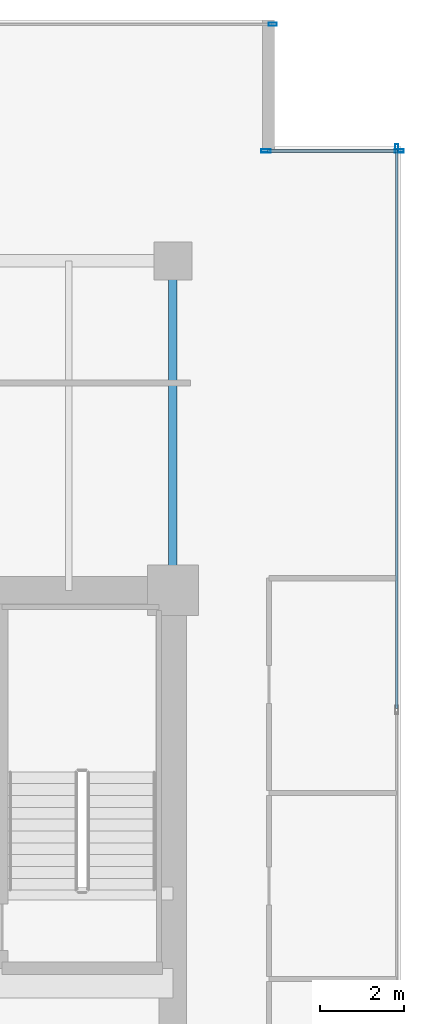
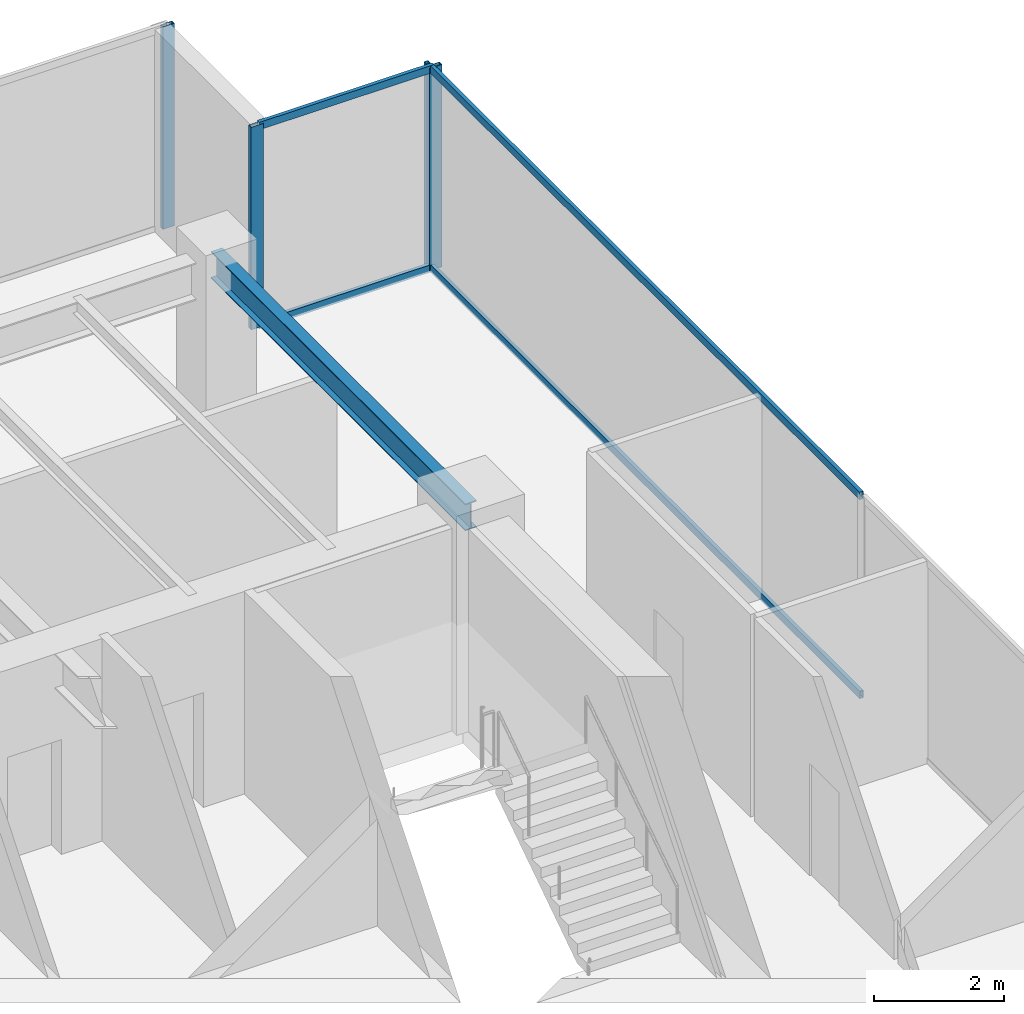
# One storey, part 23 of 30: 8 members, 1 beam, 3 elements without a shape of their own.
"""IFC4 building model written with IfcOpenShell, lengths in metres."""

from ifc_helpers import new_model, si_unit, direction, frame, origin, origin_2d, place, context, subcontext, project, spatial, hollow_rectangle, i_section, extrude, source, transform, mapped, material, layer, layer_set, material_profile, profile_set, type_object, type_shapes, element, aggregate, save


model = new_model("IFC4")

# Units and contexts
model_context = context("Model", 3, precision=1e-05, world=origin(), true_north=direction((0.0, 1.0)))
body_context = subcontext(model_context, "Body", "Model", "MODEL_VIEW")
ifc_project = project(units=[si_unit("LENGTHUNIT", "METRE"), si_unit("AREAUNIT", "SQUARE_METRE"), si_unit("VOLUMEUNIT", "CUBIC_METRE"), si_unit("PLANEANGLEUNIT", "RADIAN"), si_unit("MASSUNIT", "GRAM", prefix="KILO")], contexts=[model_context])

# Site, building, storey
site_placement = place(None, origin())
site = spatial("IfcSite", under=ifc_project, at=site_placement, CompositionType="ELEMENT")
building_placement = place(site_placement, origin())
building = spatial("IfcBuilding", under=site, at=building_placement, Name="Haelvirn Gate Laboratories", CompositionType="ELEMENT")
storey_placement = place(building_placement, frame((0.0, 0.0, 105.10009765625)))
storey = spatial("IfcBuildingStorey", under=building, at=storey_placement, Name="L25", CompositionType="ELEMENT", Elevation=105.10009765625)

# Beam
ifc_material_1 = material(Name="Steel SM355", Category="steel")
ifc_material_profile_1 = material_profile(ifc_material_1, i_section(OverallWidth=0.199951171875, OverallDepth=0.5, WebThickness=0.010009765625, FlangeThickness=0.01611328125, at=origin_2d()), Name="H-500x200x10x16")
ifc_profile_set_1 = profile_set([ifc_material_profile_1], Name="Steel SM355")
beam_type = type_object("IfcBeamType", Name="BM-SP-500", PredefinedType="SPANDREL", material=ifc_profile_set_1)
shared_shape_1 = source(origin(), body_context, "Body", "SweptSolid", [
    extrude(i_section(OverallWidth=0.199951171875, OverallDepth=0.5, WebThickness=0.010009765625, FlangeThickness=0.01611328125, at=origin_2d()), origin(), (0.0, 0.0, 1.0), 7.800048828125),
])
type_shapes(beam_type, [shared_shape_1])
beam_placement = place(storey_placement, frame((67.39990234375, 33.800048828125, 3.539794921875), z_axis=(0.0, 1.0, 0.0), x_axis=(-1.0, 0.0, 0.0)))
element("IfcBeam", 1, at=beam_placement, inside=storey, type_object=beam_type, Name="L25 Perimeter Spandrel X67.4 (33.8-41.6)", PredefinedType="SPANDREL", context=body_context, shape_type="MappedRepresentation", body=[
    mapped(shared_shape_1, transform((0.0, 0.0, 0.0), scale=1.0)),
])

# Curtain wall, members
ifc_material_2 = material(Name="Anodised bronze unitised aluminium & triple low-E glass", Category="aluminium")
ifc_layer_1 = layer(ifc_material_2, 0.181884765625, Name="CW-SYS-5")
ifc_layer_set_1 = layer_set([ifc_layer_1], Name="Anodised bronze unitised aluminium & triple low-E glass")
curtain_wall_type_1 = type_object("IfcCurtainWallType", Name="CW-SYS-5", PredefinedType="NOTDEFINED", material=ifc_layer_set_1)
curtain_wall_1_placement = place(storey_placement, origin())
curtain_wall_1 = element("IfcCurtainWall", 2, at=curtain_wall_1_placement, inside=storey, type_object=curtain_wall_type_1, Name="L25 Unitised Curtain Wall CW-L25-P0-E08-1", PredefinedType="NOTDEFINED")
ifc_material_3 = material(Name="Extruded aluminium 6063-T6 (anodised bronze)", Category="aluminium")
ifc_material_profile_2 = material_profile(ifc_material_3, hollow_rectangle(XDim=0.06494140625, YDim=0.139892578125, WallThickness=0.00390625, at=origin_2d()), Name="CWT-140x65x4")
ifc_profile_set_2 = profile_set([ifc_material_profile_2], Name="Extruded aluminium 6063-T6 (anodised bronze)")
member_type_1 = type_object("IfcMemberType", Name="CWT-T140", PredefinedType="USERDEFINED", material=ifc_profile_set_2)
shared_shape_2 = source(origin(), body_context, "Body", "SweptSolid", [
    extrude(hollow_rectangle(XDim=0.06494140625, YDim=0.139892578125, WallThickness=0.00390625, at=origin_2d()), origin(), (0.0, 0.0, 1.0), 3.080078125),
])
member_1_placement = place(storey_placement, frame((69.639892578125, 44.199951171875, 0.032470703125), z_axis=(1.0, 0.0, 0.0), x_axis=(0.0, 1.0, 0.0)))
member_1 = element("IfcMember", 3, at=member_1_placement, type_object=member_type_1, Name="CW5 transom 1.1", ObjectType="TRANSOM", PredefinedType="USERDEFINED", context=body_context, shape_type="MappedRepresentation", body=[
    mapped(shared_shape_2, transform((0.0, 0.0, 0.0), scale=1.0)),
])
member_2_placement = place(storey_placement, frame((69.639892578125, 44.199951171875, 3.75732421875), z_axis=(1.0, 0.0, 0.0), x_axis=(0.0, 1.0, 0.0)))
member_2 = element("IfcMember", 4, at=member_2_placement, type_object=member_type_1, Name="CW5 transom 1.2", ObjectType="TRANSOM", PredefinedType="USERDEFINED", context=body_context, shape_type="MappedRepresentation", body=[
    mapped(shared_shape_2, transform((0.0, 0.0, 0.0), scale=1.0)),
])

ifc_layer_2 = layer(ifc_material_2, 0.179931640625, Name="CW-SYS-3")
ifc_layer_set_2 = layer_set([ifc_layer_2], Name="Anodised bronze unitised aluminium & triple low-E glass")
curtain_wall_type_2 = type_object("IfcCurtainWallType", Name="CW-SYS-3", PredefinedType="NOTDEFINED", material=ifc_layer_set_2)
curtain_wall_2_placement = place(storey_placement, origin())
curtain_wall_2 = element("IfcCurtainWall", 5, at=curtain_wall_2_placement, inside=storey, type_object=curtain_wall_type_2, Name="L25 Unitised Curtain Wall CW-L25-P0-E07", PredefinedType="NOTDEFINED")
shared_shape_3 = source(origin(), body_context, "Body", "SweptSolid", [
    extrude(hollow_rectangle(XDim=0.06494140625, YDim=0.139892578125, WallThickness=0.00390625, at=origin_2d()), origin(), (0.0, 0.0, 1.0), 13.220947265625),
])
type_shapes(member_type_1, [shared_shape_2, shared_shape_3])
member_3_placement = place(storey_placement, frame((72.699951171875, 31.004150390625, 0.032470703125), z_axis=(0.0, 1.0, 0.0), x_axis=(-1.0, 0.0, 0.0)))
member_3 = element("IfcMember", 6, at=member_3_placement, type_object=member_type_1, Name="CW3 transom 3.1", ObjectType="TRANSOM", PredefinedType="USERDEFINED", context=body_context, shape_type="MappedRepresentation", body=[
    mapped(shared_shape_3, transform((0.0, 0.0, 0.0), scale=1.0)),
])
member_4_placement = place(storey_placement, frame((72.699951171875, 31.004150390625, 3.75732421875), z_axis=(0.0, 1.0, 0.0), x_axis=(-1.0, 0.0, 0.0)))
member_4 = element("IfcMember", 7, at=member_4_placement, type_object=member_type_1, Name="CW3 transom 3.2", ObjectType="TRANSOM", PredefinedType="USERDEFINED", context=body_context, shape_type="MappedRepresentation", body=[
    mapped(shared_shape_3, transform((0.0, 0.0, 0.0), scale=1.0)),
])
ifc_material_profile_3 = material_profile(ifc_material_3, hollow_rectangle(XDim=0.074951171875, YDim=0.199951171875, WallThickness=0.0048828125, at=origin_2d()), Name="CWM-200x75x5")
ifc_profile_set_3 = profile_set([ifc_material_profile_3], Name="Extruded aluminium 6063-T6 (anodised bronze)")
member_type_2 = type_object("IfcMemberType", Name="CWM-T200", PredefinedType="MULLION", material=ifc_profile_set_3)
shared_shape_4 = source(origin(), body_context, "Body", "SweptSolid", [
    extrude(hollow_rectangle(XDim=0.074951171875, YDim=0.199951171875, WallThickness=0.0048828125, at=origin_2d()), origin(), (0.0, 0.0, 1.0), 3.789794921875),
])
type_shapes(member_type_2, [shared_shape_4])
member_5_placement = place(storey_placement, frame((72.699951171875, 44.262451171875, 0.0), z_axis=(0.0, 0.0, 1.0), x_axis=(-1.0, 0.0, 0.0)))
member_5 = element("IfcMember", 8, at=member_5_placement, type_object=member_type_2, Name="CW3 mullion 4", PredefinedType="MULLION", context=body_context, shape_type="MappedRepresentation", body=[
    mapped(shared_shape_4, transform((0.0, 0.0, 0.0), scale=1.0)),
])
aggregate(curtain_wall_2, [member_5, member_3, member_4])

# Curtain wall, member
curtain_wall_3_placement = place(storey_placement, origin())
curtain_wall_3 = element("IfcCurtainWall", 9, at=curtain_wall_3_placement, inside=storey, type_object=curtain_wall_type_2, Name="L25 Unitised Curtain Wall CW-L25-P0-E10-1", PredefinedType="NOTDEFINED")
member_6_placement = place(storey_placement, frame((69.762451171875, 47.199951171875, 0.0), z_axis=(0.0, 0.0, 1.0), x_axis=(0.0, 1.0, 0.0)))
member_6 = element("IfcMember", 10, at=member_6_placement, type_object=member_type_2, Name="CW3 mullion 3", PredefinedType="MULLION", context=body_context, shape_type="MappedRepresentation", body=[
    mapped(shared_shape_4, transform((0.0, 0.0, 0.0), scale=1.0)),
])
aggregate(curtain_wall_3, [member_6])

# Member
ifc_material_profile_4 = material_profile(ifc_material_3, hollow_rectangle(XDim=0.080078125, YDim=0.219970703125, WallThickness=0.006103515625, at=origin_2d()), Name="CWM-220x80x6")
ifc_profile_set_4 = profile_set([ifc_material_profile_4], Name="Extruded aluminium 6063-T6 (anodised bronze)")
member_type_3 = type_object("IfcMemberType", Name="CWM-T220", PredefinedType="MULLION", material=ifc_profile_set_4)
shared_shape_5 = source(origin(), body_context, "Body", "SweptSolid", [
    extrude(hollow_rectangle(XDim=0.080078125, YDim=0.219970703125, WallThickness=0.006103515625, at=origin_2d()), origin(), (0.0, 0.0, 1.0), 3.789794921875),
])
type_shapes(member_type_3, [shared_shape_5])
member_7_placement = place(storey_placement, frame((69.60009765625, 44.199951171875, 0.0), z_axis=(0.0, 0.0, 1.0), x_axis=(0.0, 1.0, 0.0)))
member_7 = element("IfcMember", 11, at=member_7_placement, type_object=member_type_3, Name="CW5 mullion 1", PredefinedType="MULLION", context=body_context, shape_type="MappedRepresentation", body=[
    mapped(shared_shape_5, transform((0.0, 0.0, 0.0), scale=1.0)),
])

member_8_placement = place(storey_placement, frame((72.760009765625, 44.199951171875, 0.0), z_axis=(0.0, 0.0, 1.0), x_axis=(0.0, 1.0, 0.0)))
member_8 = element("IfcMember", 12, at=member_8_placement, type_object=member_type_3, Name="CW5 mullion 2", PredefinedType="MULLION", context=body_context, shape_type="MappedRepresentation", body=[
    mapped(shared_shape_5, transform((0.0, 0.0, 0.0), scale=1.0)),
])

aggregate(curtain_wall_1, [member_7, member_8, member_1, member_2])

save(model, "model.ifc")
